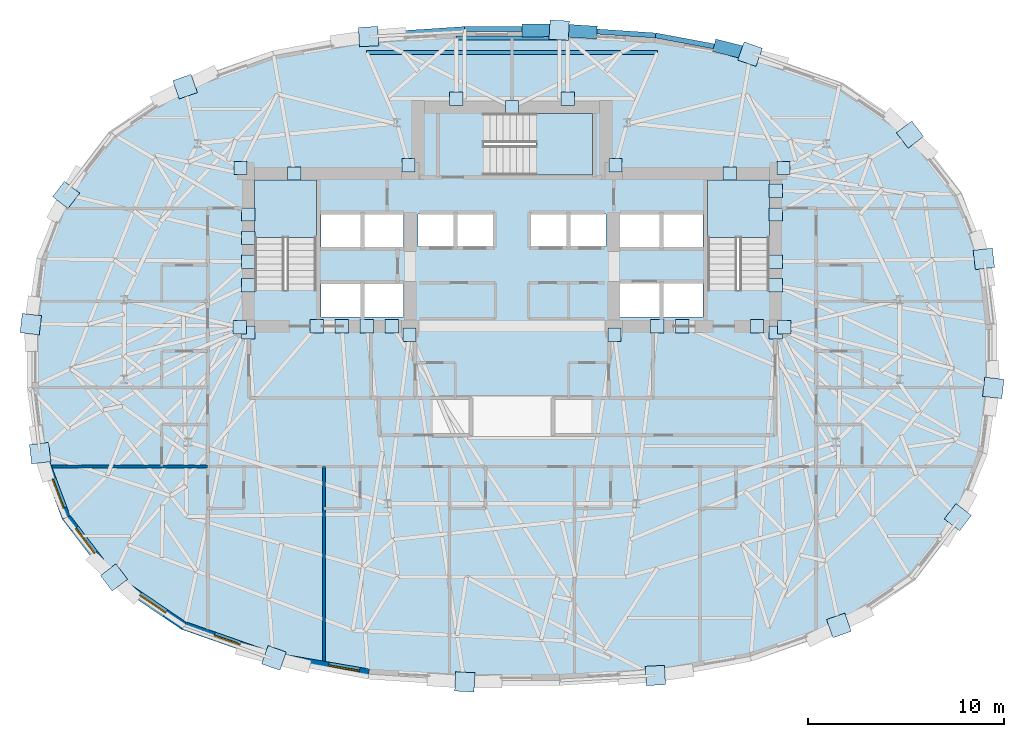
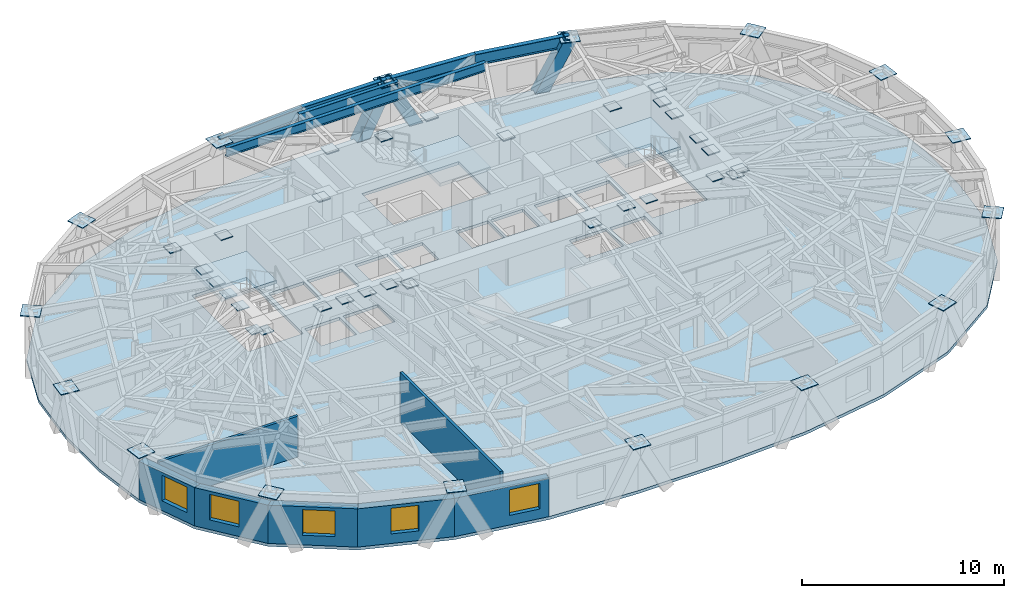
# One storey, part 5 of 15: 46 plates, 7 walls, 6 beams, 5 windows, 4 slabs, 3 members, 5 openings, 3 elements without a shape of their own.
"""IFC4 building model written with IfcOpenShell, lengths in metres."""

from ifc_helpers import new_model, si_unit, direction, frame, frame_2d, origin, origin_2d, place, context, subcontext, project, spatial, polyline, rectangle, hollow_rectangle, i_section, outline, extrude, material, layer, layer_set, material_profile, profile_set, type_object, element, fill, aggregate, save


model = new_model("IFC4")

# Units and contexts
model_context = context("Model", 3, precision=1e-05, world=origin(), true_north=direction((0.0, 1.0)))
body_context = subcontext(model_context, "Body", "Model", "MODEL_VIEW")
ifc_project = project(units=[si_unit("LENGTHUNIT", "METRE"), si_unit("AREAUNIT", "SQUARE_METRE"), si_unit("VOLUMEUNIT", "CUBIC_METRE"), si_unit("PLANEANGLEUNIT", "RADIAN"), si_unit("MASSUNIT", "GRAM", prefix="KILO")], contexts=[model_context])

# Site, building, storey
site_placement = place(None, origin())
site = spatial("IfcSite", under=ifc_project, at=site_placement, CompositionType="ELEMENT")
building_placement = place(site_placement, origin())
building = spatial("IfcBuilding", under=site, at=building_placement, Name="Keldmark Tower", CompositionType="ELEMENT")
storey_placement = place(building_placement, frame((0.0, 0.0, 143.800048828125)))
storey = spatial("IfcBuildingStorey", under=building, at=storey_placement, Name="L38", CompositionType="ELEMENT", Elevation=143.800048828125)

# Members
ifc_material_1 = material(Name="Steel ASTM A572 Grade 50", Category="steel")
ifc_material_profile_1 = material_profile(ifc_material_1, hollow_rectangle(XDim=0.64990234375, YDim=0.64990234375, WallThickness=0.0400390625, at=origin_2d()), Name="BOX650X650X40")
ifc_profile_set_1 = profile_set([ifc_material_profile_1], Name="Steel ASTM A572 Grade 50")
member_type = type_object("IfcMemberType", Name="Diagrid Zone 3 Brace BOX650X650X40", PredefinedType="BRACE", material=ifc_profile_set_1)
member_1_placement = place(storey_placement, frame((10.615478515625, 15.813232421875, -0.260009765625), z_axis=(0.440064957334, -0.109895739619, 0.891215888402), x_axis=(0.242285580262, 0.970204977104, 0.0)))
element("IfcMember", 1, at=member_1_placement, inside=storey, type_object=member_type, Name="L38 Perimeter Diagrid Brace 03B", PredefinedType="BRACE", context=body_context, shape_type="SweptSolid", body=[
    extrude(hollow_rectangle(XDim=0.64990234375, YDim=0.64990234375, WallThickness=0.0400390625, at=origin_2d()), origin(), (0.0, 0.0, 1.0), 3.545654296875),
])
member_2_placement = place(storey_placement, frame((4.05078125, 16.5498046875, -0.260009765625), z_axis=(-0.460434967327, 0.029201324413, 0.887213009099), x_axis=(-0.063294005914, -0.997994924243, 0.0)))
element("IfcMember", 2, at=member_2_placement, inside=storey, type_object=member_type, Name="L38 Perimeter Diagrid Brace 04A", PredefinedType="BRACE", context=body_context, shape_type="SweptSolid", body=[
    extrude(hollow_rectangle(XDim=0.64990234375, YDim=0.64990234375, WallThickness=0.0400390625, at=origin_2d()), origin(), (0.0, 0.0, 1.0), 3.5615234375),
])
member_3_placement = place(storey_placement, frame((0.802734375, 16.635986328125, -0.260009765625), z_axis=(0.456125309598, 0.00433160906, 0.889905016902), x_axis=(-0.009496104822, 0.99995491098, 0.0)))
element("IfcMember", 3, at=member_3_placement, inside=storey, type_object=member_type, Name="L38 Perimeter Diagrid Brace 04B", PredefinedType="BRACE", context=body_context, shape_type="SweptSolid", body=[
    extrude(hollow_rectangle(XDim=0.64990234375, YDim=0.64990234375, WallThickness=0.0400390625, at=origin_2d()), origin(), (0.0, 0.0, 1.0), 3.55078125),
])

# Beams
ifc_material_2 = material(Name="Steel ASTM A992 Grade 50", Category="steel")
ifc_material_profile_2 = material_profile(ifc_material_2, i_section(OverallWidth=0.2099609375, OverallDepth=0.537109375, WebThickness=0.010986328125, FlangeThickness=0.017333984375, at=origin_2d()), Name="W21X68")
ifc_profile_set_2 = profile_set([ifc_material_profile_2], Name="Steel ASTM A992 Grade 50")
beam_type_1 = type_object("IfcBeamType", Name="Radial Tie Girder W21X68", PredefinedType="BEAM", material=ifc_profile_set_2)
beam_1_placement = place(storey_placement, frame((-7.43017578125, 15.515869140625, 2.75146484375), z_axis=(1.0, 0.0, 0.0), x_axis=(0.0, 1.0, 0.0)))
element("IfcBeam", 4, at=beam_1_placement, inside=storey, type_object=beam_type_1, Name="L38 North Outer Header Girder FG-TCN-H1", PredefinedType="BEAM", context=body_context, shape_type="SweptSolid", body=[
    extrude(i_section(OverallWidth=0.2099609375, OverallDepth=0.537109375, WebThickness=0.010986328125, FlangeThickness=0.017333984375, at=origin_2d()), origin(), (0.0, 0.0, 1.0), 14.8603515625),
])
beam_2_placement = place(storey_placement, frame((-2.85009765625, 16.260986328125, 2.75146484375), z_axis=(1.0, 0.0, 0.0), x_axis=(0.0, 1.0, 0.0)))
element("IfcBeam", 5, at=beam_2_placement, inside=storey, type_object=beam_type_1, Name="L38 North Apex Header Girder FG-TCN-H2", PredefinedType="BEAM", context=body_context, shape_type="SweptSolid", body=[
    extrude(i_section(OverallWidth=0.2099609375, OverallDepth=0.537109375, WebThickness=0.010986328125, FlangeThickness=0.017333984375, at=origin_2d()), origin(), (0.0, 0.0, 1.0), 5.7001953125),
])
ifc_material_3 = material(Name="Steel ASTM A992 Grade 50", Category="steel")
ifc_material_profile_3 = material_profile(ifc_material_3, i_section(OverallWidth=0.256103515625, OverallDepth=0.693115234375, WebThickness=0.014404296875, FlangeThickness=0.023681640625, at=origin_2d()), Name="W27X114")
ifc_profile_set_3 = profile_set([ifc_material_profile_3], Name="Steel ASTM A992 Grade 50")
beam_type_2 = type_object("IfcBeamType", Name="Spandrel Ring Beam W27X114", PredefinedType="SPANDREL", material=ifc_profile_set_3)
beam_3_placement = place(storey_placement, frame((12.2041015625, 15.4765625, 2.67333984375), z_axis=(-0.98297578121, 0.183735172338, 0.0), x_axis=(-0.183735172338, -0.98297578121, 0.0)))
element("IfcBeam", 6, at=beam_3_placement, inside=storey, type_object=beam_type_2, Name="L38 Perimeter Spandrel Ring Beam SRB-06", PredefinedType="SPANDREL", context=body_context, shape_type="SweptSolid", body=[
    extrude(i_section(OverallWidth=0.256103515625, OverallDepth=0.693115234375, WebThickness=0.014404296875, FlangeThickness=0.023681640625, at=origin_2d()), origin(), (0.0, 0.0, 1.0), 4.955078125),
])
beam_4_placement = place(storey_placement, frame((7.33349609375, 16.386962890625, 2.67333984375), z_axis=(-0.997822793171, 0.065952054018, 0.0), x_axis=(-0.065952054018, -0.997822793171, 0.0)))
element("IfcBeam", 7, at=beam_4_placement, inside=storey, type_object=beam_type_2, Name="L38 Perimeter Spandrel Ring Beam SRB-07", PredefinedType="SPANDREL", context=body_context, shape_type="SweptSolid", body=[
    extrude(i_section(OverallWidth=0.256103515625, OverallDepth=0.693115234375, WebThickness=0.014404296875, FlangeThickness=0.023681640625, at=origin_2d()), origin(), (0.0, 0.0, 1.0), 4.916015625),
])
beam_5_placement = place(storey_placement, frame((2.42822265625, 16.711181640625, 2.67333984375), z_axis=(-1.0, 0.0, 0.0), x_axis=(0.0, -1.0, 0.0)))
element("IfcBeam", 8, at=beam_5_placement, inside=storey, type_object=beam_type_2, Name="L38 Perimeter Spandrel Ring Beam SRB-08", PredefinedType="SPANDREL", context=body_context, shape_type="SweptSolid", body=[
    extrude(i_section(OverallWidth=0.256103515625, OverallDepth=0.693115234375, WebThickness=0.014404296875, FlangeThickness=0.023681640625, at=origin_2d()), origin(), (0.0, 0.0, 1.0), 4.8564453125),
])
beam_6_placement = place(storey_placement, frame((-2.42822265625, 16.711181640625, 2.67333984375), z_axis=(-0.997822793171, -0.065952054018, 0.0), x_axis=(0.065952054018, -0.997822793171, 0.0)))
element("IfcBeam", 9, at=beam_6_placement, inside=storey, type_object=beam_type_2, Name="L38 Perimeter Spandrel Ring Beam SRB-09", PredefinedType="SPANDREL", context=body_context, shape_type="SweptSolid", body=[
    extrude(i_section(OverallWidth=0.256103515625, OverallDepth=0.693115234375, WebThickness=0.014404296875, FlangeThickness=0.023681640625, at=origin_2d()), origin(), (0.0, 0.0, 1.0), 4.916015625),
])

# Plates
ifc_material_4 = material(Name="Steel ASTM A572 Grade 50", Category="steel")
ifc_layer_1 = layer(ifc_material_4, 0.06005859375)
ifc_layer_set_1 = layer_set([ifc_layer_1], Name="Steel ASTM A572 Grade 50")
plate_type_1 = type_object("IfcPlateType", Name="Belt Truss Kink Node Assembly KN01 60 mm", PredefinedType="USERDEFINED", material=ifc_layer_set_1)
for number, where, z_axis, x_axis, name in (
    (10, (13.91162109375, 1.473388671875, 2.72412109375), (0.0, 0.0, 1.0), (1.0, 0.0, 0.0), "L38 Core Wall Cast-In Embed Plate 1118"),
    (11, (13.878173828125, 9.608154296875, 2.72412109375), (0.0, 0.0, 1.0), (1.0, 0.0, 0.0), "L38 Core Wall Cast-In Embed Plate 1119"),
    (12, (5.28515625, 9.758544921875, 2.72412109375), (0.0, 0.0, 1.0), (1.0, 0.0, 0.0), "L38 Core Wall Cast-In Embed Plate 1120"),
    (13, (-5.28515625, 9.758544921875, 2.72412109375), (0.0, 0.0, 1.0), (1.0, 0.0, 0.0), "L38 Core Wall Cast-In Embed Plate 1121"),
    (14, (-13.878173828125, 9.608154296875, 2.72412109375), (0.0, 0.0, 1.0), (1.0, 0.0, 0.0), "L38 Core Wall Cast-In Embed Plate 1122"),
    (15, (-13.91162109375, 1.473388671875, 2.72412109375), (0.0, 0.0, 1.0), (1.0, 0.0, 0.0), "L38 Core Wall Cast-In Embed Plate 1123"),
    (16, (-5.24072265625, 1.08251953125, 2.72412109375), (0.0, 0.0, 1.0), (1.0, 0.0, 0.0), "L38 Core Wall Cast-In Embed Plate 1124"),
    (17, (5.24072265625, 1.08251953125, 2.72412109375), (0.0, 0.0, 1.0), (1.0, 0.0, 0.0), "L38 Core Wall Cast-In Embed Plate 1125"),
    (18, (-7.425048828125, 1.52490234375, 2.72412109375), (0.0, 0.0, 1.0), (1.0, 0.0, 0.0), "L38 Core Wall Cast-In Embed Plate 1126"),
    (19, (7.425048828125, 1.52490234375, 2.72412109375), (0.0, 0.0, 1.0), (1.0, 0.0, 0.0), "L38 Core Wall Cast-In Embed Plate 1127"),
    (20, (-9.97509765625, 1.52490234375, 2.72412109375), (0.0, 0.0, 1.0), (1.0, 0.0, 0.0), "L38 Core Wall Cast-In Embed Plate 1128"),
    (21, (13.47509765625, 1.199951171875, 2.72412109375), (0.0, 0.0, 1.0), (1.0, 0.0, 0.0), "L38 Core Wall Cast-In Embed Plate 1129"),
    (22, (13.47509765625, 3.6142578125, 2.72412109375), (0.0, 0.0, 1.0), (1.0, 0.0, 0.0), "L38 Core Wall Cast-In Embed Plate 1130"),
    (23, (13.47509765625, 4.8212890625, 2.72412109375), (0.0, 0.0, 1.0), (1.0, 0.0, 0.0), "L38 Core Wall Cast-In Embed Plate 1131"),
    (24, (13.47509765625, 8.44287109375, 2.72412109375), (0.0, 0.0, 1.0), (1.0, 0.0, 0.0), "L38 Core Wall Cast-In Embed Plate 1132"),
    (25, (13.47509765625, 7.235595703125, 2.72412109375), (0.0, 0.0, 1.0), (1.0, 0.0, 0.0), "L38 Core Wall Cast-In Embed Plate 1133"),
    (26, (-13.47509765625, 7.235595703125, 2.72412109375), (0.0, 0.0, 1.0), (1.0, 0.0, 0.0), "L38 Core Wall Cast-In Embed Plate 1134"),
    (27, (-13.47509765625, 6.028564453125, 2.72412109375), (0.0, 0.0, 1.0), (1.0, 0.0, 0.0), "L38 Core Wall Cast-In Embed Plate 1135"),
    (28, (-13.47509765625, 4.8212890625, 2.72412109375), (0.0, 0.0, 1.0), (1.0, 0.0, 0.0), "L38 Core Wall Cast-In Embed Plate 1136"),
    (29, (-13.47509765625, 3.6142578125, 2.72412109375), (0.0, 0.0, 1.0), (1.0, 0.0, 0.0), "L38 Core Wall Cast-In Embed Plate 1137"),
    (30, (-13.47509765625, 1.199951171875, 2.72412109375), (0.0, 0.0, 1.0), (1.0, 0.0, 0.0), "L38 Core Wall Cast-In Embed Plate 1138"),
    (31, (-8.699951171875, 1.52490234375, 2.72412109375), (0.0, 0.0, 1.0), (1.0, 0.0, 0.0), "L38 Core Wall Cast-In Embed Plate 1139"),
    (32, (-6.14990234375, 1.52490234375, 2.72412109375), (0.0, 0.0, 1.0), (1.0, 0.0, 0.0), "L38 Core Wall Cast-In Embed Plate 1140"),
    (33, (12.52490234375, 1.52490234375, 2.72412109375), (0.0, 0.0, 1.0), (1.0, 0.0, 0.0), "L38 Core Wall Cast-In Embed Plate 1141"),
    (34, (8.699951171875, 1.52490234375, 2.72412109375), (0.0, 0.0, 1.0), (1.0, 0.0, 0.0), "L38 Core Wall Cast-In Embed Plate 1142"),
    (35, (-2.85009765625, 13.14990234375, 2.72412109375), (0.0, 0.0, 1.0), (1.0, 0.0, 0.0), "L38 Core Wall Cast-In Embed Plate 1143"),
    (36, (2.85009765625, 13.14990234375, 2.72412109375), (0.0, 0.0, 1.0), (1.0, 0.0, 0.0), "L38 Core Wall Cast-In Embed Plate 1144"),
    (37, (11.1357421875, 9.324951171875, 2.72412109375), (0.0, 0.0, 1.0), (1.0, 0.0, 0.0), "L38 Core Wall Cast-In Embed Plate 1145"),
    (38, (0.0, 12.72509765625, 2.72412109375), (0.0, 0.0, 1.0), (1.0, 0.0, 0.0), "L38 Core Wall Cast-In Embed Plate 1146"),
    (39, (-11.1357421875, 9.324951171875, 2.72412109375), (0.0, 0.0, 1.0), (1.0, 0.0, 0.0), "L38 Core Wall Cast-In Embed Plate 1147"),
):
    element("IfcPlate", number, at=place(storey_placement, frame(where, z_axis=z_axis, x_axis=x_axis)), inside=storey, type_object=plate_type_1, Name=name, ObjectType="CAP PLATE", PredefinedType="USERDEFINED", context=body_context, shape_type="SweptSolid", body=[
        extrude(rectangle(XDim=0.679931640625, YDim=0.679931640625, at=origin_2d()), origin(), (0.0, 0.0, 1.0), 0.054931640625),
    ])
ifc_material_5 = material(Name="Steel ASTM A572 Grade 50", Category="steel")
ifc_layer_2 = layer(ifc_material_5, 0.044921875)
ifc_layer_set_2 = layer_set([ifc_layer_2], Name="Steel ASTM A572 Grade 50")
plate_type_2 = type_object("IfcPlateType", Name="Diagrid Node Assembly DN04 45 mm", PredefinedType="USERDEFINED", material=ifc_layer_set_2)
for number, where, z_axis, x_axis, name in (
    (40, (24.115966796875, 4.965087890625, 2.87744140625), (0.0, 0.0, 1.0), (-0.116670737099, 0.993170649538, 0.0), "L38 Diagrid Node Assembly 01"),
    (41, (20.339111328125, 11.315185546875, 2.87744140625), (0.0, 0.0, 1.0), (-0.607237178966, 0.794520615517, 0.0), "L38 Diagrid Node Assembly 03"),
    (42, (12.166015625, 15.43017578125, 2.87744140625), (0.0, 0.0, 1.0), (-0.943512164028, 0.331337888463, 0.0), "L38 Diagrid Node Assembly 05"),
    (43, (2.410888671875, 16.65380859375, 2.87744140625), (0.0, 0.0, 1.0), (-0.998546093651, 0.053904534636, 0.0), "L38 Diagrid Node Assembly 07"),
    (44, (-7.32763671875, 16.327392578125, 2.87744140625), (0.0, 0.0, 1.0), (-0.998546093651, -0.053904534636, 0.0), "L38 Diagrid Node Assembly 09"),
    (45, (-16.706787109375, 13.769287109375, 2.87744140625), (0.0, 0.0, 1.0), (-0.943512164028, -0.331337888463, 0.0), "L38 Diagrid Node Assembly 11"),
    (46, (-22.7861328125, 8.234375, 2.87744140625), (0.0, 0.0, 1.0), (-0.607237178966, -0.794520615517, 0.0), "L38 Diagrid Node Assembly 13"),
    (47, (-24.596435546875, 1.62841796875, 2.87744140625), (0.0, 0.0, 1.0), (-0.116670737099, -0.993170649538, 0.0), "L38 Diagrid Node Assembly 15"),
    (48, (-24.115966796875, -4.965087890625, 2.87744140625), (0.0, 0.0, 1.0), (0.116670737099, -0.993170649538, 0.0), "L38 Diagrid Node Assembly 17"),
    (49, (-20.339111328125, -11.315185546875, 2.87744140625), (0.0, 0.0, 1.0), (0.607237178966, -0.794520615517, 0.0), "L38 Diagrid Node Assembly 19"),
    (50, (-12.166015625, -15.43017578125, 2.87744140625), (0.0, 0.0, 1.0), (0.943512164028, -0.331337888463, 0.0), "L38 Diagrid Node Assembly 21"),
    (51, (-2.410888671875, -16.65380859375, 2.87744140625), (0.0, 0.0, 1.0), (0.998546093651, -0.053904534636, 0.0), "L38 Diagrid Node Assembly 23"),
    (52, (7.32763671875, -16.327392578125, 2.87744140625), (0.0, 0.0, 1.0), (0.998546093651, 0.053904534636, 0.0), "L38 Diagrid Node Assembly 25"),
    (53, (16.706787109375, -13.769287109375, 2.87744140625), (0.0, 0.0, 1.0), (0.943512164028, 0.331337888463, 0.0), "L38 Diagrid Node Assembly 27"),
    (54, (22.7861328125, -8.234375, 2.87744140625), (0.0, 0.0, 1.0), (0.607237178966, 0.794520615517, 0.0), "L38 Diagrid Node Assembly 29"),
    (55, (24.596435546875, -1.62841796875, 2.87744140625), (0.0, 0.0, 1.0), (0.116670737099, 0.993170649538, 0.0), "L38 Diagrid Node Assembly 31"),
):
    element("IfcPlate", number, at=place(storey_placement, frame(where, z_axis=z_axis, x_axis=x_axis)), inside=storey, type_object=plate_type_2, Name=name, ObjectType="GUSSET", PredefinedType="USERDEFINED", context=body_context, shape_type="SweptSolid", body=[
        extrude(rectangle(XDim=0.989990234375, YDim=0.989990234375, at=origin_2d()), origin(), (0.0, 0.0, 1.0), 0.044921875),
    ])

# Slab
ifc_material_6 = material(Name="Concrete C35/45", Category="concrete")
ifc_layer_3 = layer(ifc_material_6, 0.179931640625)
ifc_layer_set_3 = layer_set([ifc_layer_3], Name="Concrete C35/45")
slab_type_1 = type_object("IfcSlabType", Name="Hotel and Residential Slab 180 mm", PredefinedType="FLOOR", material=ifc_layer_set_3)
slab_1_placement = place(storey_placement, frame((0.0, 0.0, -0.179931640625)))
element("IfcSlab", 56, at=slab_1_placement, inside=storey, type_object=slab_type_1, Name="L38 Composite Structural Floor Slab", PredefinedType="FLOOR", context=body_context, shape_type="SweptSolid", body=[
    extrude(outline(polyline([(24.631591796875, 1.644287109375), (24.239501953125, 4.98388671875), (22.99169921875, 8.329833984375), (20.60009765625, 11.459228515625), (16.90625, 13.96337890625), (12.289306640625, 15.584228515625), (7.352783203125, 16.429931640625), (2.426025390625, 16.69580078125), (-2.426025390625, 16.69580078125), (-7.352783203125, 16.429931640625), (-12.289306640625, 15.584228515625), (-16.90625, 13.96337890625), (-20.60009765625, 11.459228515625), (-22.99169921875, 8.329833984375), (-24.239501953125, 4.98388671875), (-24.631591796875, 1.644287109375), (-24.631591796875, -1.644287109375), (-24.239501953125, -4.98388671875), (-22.99169921875, -8.329833984375), (-20.60009765625, -11.459228515625), (-16.90625, -13.96337890625), (-12.289306640625, -15.584228515625), (-7.352783203125, -16.429931640625), (-2.426025390625, -16.69580078125), (2.426025390625, -16.69580078125), (7.352783203125, -16.429931640625), (12.289306640625, -15.584228515625), (16.90625, -13.96337890625), (20.60009765625, -11.459228515625), (22.99169921875, -8.329833984375), (24.239501953125, -4.98388671875), (24.631591796875, -1.644287109375), (24.631591796875, 1.644287109375)]), holes=[polyline([(-10.0, 3.385009765625), (-10.0, 9.0), (-13.14990234375, 9.0), (-13.14990234375, 3.385009765625), (-10.0, 3.385009765625)]), polyline([(13.14990234375, 3.385009765625), (13.14990234375, 9.0), (10.0, 9.0), (10.0, 3.385009765625), (13.14990234375, 3.385009765625)]), polyline([(-1.43994140625, 9.25), (4.10498046875, 9.25), (4.10498046875, 12.39990234375), (-1.43994140625, 12.39990234375), (-1.43994140625, 9.25)]), polyline([(-9.75, 2.0), (-7.75, 2.0), (-7.75, 3.699951171875), (-9.75, 3.699951171875), (-9.75, 2.0)]), polyline([(7.75, 2.0), (9.75, 2.0), (9.75, 3.699951171875), (7.75, 3.699951171875), (7.75, 2.0)]), polyline([(5.449951171875, 2.0), (7.550048828125, 2.0), (7.550048828125, 3.75), (5.449951171875, 3.75), (5.449951171875, 2.0)]), polyline([(-4.800048828125, 5.60009765625), (-2.949951171875, 5.60009765625), (-2.949951171875, 7.25), (-4.800048828125, 7.25), (-4.800048828125, 5.60009765625)]), polyline([(-2.800048828125, 5.60009765625), (-0.949951171875, 5.60009765625), (-0.949951171875, 7.25), (-2.800048828125, 7.25), (-2.800048828125, 5.60009765625)]), polyline([(0.949951171875, 5.60009765625), (2.800048828125, 5.60009765625), (2.800048828125, 7.25), (0.949951171875, 7.25), (0.949951171875, 5.60009765625)]), polyline([(2.949951171875, 5.60009765625), (4.800048828125, 5.60009765625), (4.800048828125, 7.25), (2.949951171875, 7.25), (2.949951171875, 5.60009765625)]), polyline([(-9.75, 5.550048828125), (-7.75, 5.550048828125), (-7.75, 7.25), (-9.75, 7.25), (-9.75, 5.550048828125)]), polyline([(-7.550048828125, 5.550048828125), (-5.550048828125, 5.550048828125), (-5.550048828125, 7.25), (-7.550048828125, 7.25), (-7.550048828125, 5.550048828125)]), polyline([(-7.550048828125, 2.0), (-5.550048828125, 2.0), (-5.550048828125, 3.699951171875), (-7.550048828125, 3.699951171875), (-7.550048828125, 2.0)]), polyline([(5.449951171875, 5.550048828125), (7.550048828125, 5.550048828125), (7.550048828125, 7.25), (5.449951171875, 7.25), (5.449951171875, 5.550048828125)]), polyline([(7.75, 5.550048828125), (9.75, 5.550048828125), (9.75, 7.25), (7.75, 7.25), (7.75, 5.550048828125)])]), origin(), (0.0, 0.0, 1.0), 0.179931640625),
])

# Stair, slab
ifc_material_7 = material(Name="Concrete C40/50", Category="concrete")
stair_type = type_object("IfcStairType", Name="Precast Concrete Core Exit Stair", PredefinedType="HALF_TURN_STAIR", material=ifc_material_7)
stair_1_placement = place(storey_placement, origin())
stair_1 = element("IfcStair", 57, at=stair_1_placement, inside=storey, type_object=stair_type, Name="L38 Exit Stair ST1", PredefinedType="HALF_TURN_STAIR")
ifc_material_8 = material(Name="Concrete C40/50", Category="concrete")
ifc_layer_4 = layer(ifc_material_8, 0.199951171875)
ifc_layer_set_4 = layer_set([ifc_layer_4], Name="Concrete C40/50")
slab_type_2 = type_object("IfcSlabType", Name="Reinforced Concrete Stair Landing 200 mm", PredefinedType="LANDING", material=ifc_layer_set_4)
slab_2_placement = place(storey_placement, frame((0.0, 0.0, 1.39990234375)))
slab_2 = element("IfcSlab", 58, at=slab_2_placement, type_object=slab_type_2, Name="ST1 landing 1", PredefinedType="LANDING", context=body_context, shape_type="SweptSolid", body=[
    extrude(outline(polyline([(-10.0, 6.050048828125), (-10.0, 9.0), (-13.14990234375, 9.0), (-13.14990234375, 6.050048828125), (-10.0, 6.050048828125)])), origin(), (0.0, 0.0, 1.0), 0.199951171875),
])
aggregate(stair_1, [slab_2])

stair_2_placement = place(storey_placement, origin())
stair_2 = element("IfcStair", 59, at=stair_2_placement, inside=storey, type_object=stair_type, Name="L38 Exit Stair ST2", PredefinedType="HALF_TURN_STAIR")
slab_3_placement = place(storey_placement, frame((0.0, 0.0, 1.39990234375)))
slab_3 = element("IfcSlab", 60, at=slab_3_placement, type_object=slab_type_2, Name="ST2 landing 1", PredefinedType="LANDING", context=body_context, shape_type="SweptSolid", body=[
    extrude(outline(polyline([(13.14990234375, 6.050048828125), (13.14990234375, 9.0), (10.0, 9.0), (10.0, 6.050048828125), (13.14990234375, 6.050048828125)])), origin(), (0.0, 0.0, 1.0), 0.199951171875),
])
aggregate(stair_2, [slab_3])

stair_3_placement = place(storey_placement, origin())
stair_3 = element("IfcStair", 61, at=stair_3_placement, inside=storey, type_object=stair_type, Name="L38 Exit Stair ST3", PredefinedType="HALF_TURN_STAIR")
slab_4_placement = place(storey_placement, frame((0.0, 0.0, 1.39990234375)))
slab_4 = element("IfcSlab", 62, at=slab_4_placement, type_object=slab_type_2, Name="ST3 landing 1", PredefinedType="LANDING", context=body_context, shape_type="SweptSolid", body=[
    extrude(outline(polyline([(1.22509765625, 9.25), (4.10498046875, 9.25), (4.10498046875, 12.39990234375), (1.22509765625, 12.39990234375), (1.22509765625, 9.25)])), origin(), (0.0, 0.0, 1.0), 0.199951171875),
])
aggregate(stair_3, [slab_4])

# Wall, opening, window
ifc_material_9 = material(Name="Ironspot Manganese Brick and Kasota Buff Limestone Spandrel Assembly", Category="masonry")
ifc_layer_5 = layer(ifc_material_9, 0.43994140625)
ifc_layer_set_5 = layer_set([ifc_layer_5], Name="Ironspot Manganese Brick and Kasota Buff Limestone Spandrel Assembly")
wall_type_1 = type_object("IfcWallType", Name="Tower Brick Pier and Spandrel Wall 440 mm", PredefinedType="STANDARD", material=ifc_layer_set_5)
wall_1_placement = place(storey_placement, frame((-22.785400390625, -8.2529296875, 0.0), z_axis=(0.0, 0.0, 1.0), x_axis=(-0.349422124021, 0.936965409844, 0.0)))
wall_1 = element("IfcWall", 63, at=wall_1_placement, inside=storey, type_object=wall_type_1, Name="L38 Exterior Brick and Spandrel Wall 18", PredefinedType="STANDARD", context=body_context, shape_type="SweptSolid", body=[
    extrude(rectangle(XDim=3.571044921875, YDim=0.43994140625, at=frame_2d((1.78564453125, 0.0))), origin(), (0.0, 0.0, 1.0), 2.31494140625),
])
opening_1_placement = place(wall_1_placement, frame((0.49462890625, 0.0, 0.580078125)))
opening_1 = element("IfcOpeningElement", 64, at=opening_1_placement, cuts=wall_1, Name="Opening W-04", PredefinedType="OPENING", context=body_context, shape_type="SweptSolid", body=[
    extrude(rectangle(XDim=1.60009765625, YDim=1.550048828125, at=frame_2d((0.800048828125, 0.77490234375))), frame((0.0, 0.22998046875, 0.0), z_axis=(0.0, -1.0, 0.0), x_axis=(1.0, 0.0, 0.0)), (0.0, 0.0, 1.0), 0.4599609375),
])
ifc_material_10 = material(Name="Thermally Broken Anodized Aluminum and Triple Low-E Argon Glazing", Category="aluminium")
window_type_1 = type_object("IfcWindowType", Name="Hotel Deep-Set Operable Window 1600x1550", PartitioningType="DOUBLE_PANEL_HORIZONTAL", PredefinedType="WINDOW", material=ifc_material_10)
window_1_placement = place(opening_1_placement, origin())
window_1 = element("IfcWindow", 65, at=window_1_placement, inside=storey, type_object=window_type_1, Name="L38 Deep-Set Window 18", OverallHeight=1.550048828125, OverallWidth=1.60009765625, PartitioningType="SINGLE_PANEL", PredefinedType="WINDOW", context=body_context, shape_type="SweptSolid", body=[
    extrude(rectangle(XDim=1.60009765625, YDim=1.550048828125, at=frame_2d((0.800048828125, 0.77490234375))), frame((0.0, -0.010009765625, 0.0), z_axis=(0.0, -1.0, 0.0), x_axis=(1.0, 0.0, 0.0)), (0.0, 0.0, 1.0), 0.06005859375),
])
fill(opening_1, window_1)

wall_2_placement = place(storey_placement, frame((-20.42529296875, -11.32568359375, 0.0), z_axis=(0.0, 0.0, 1.0), x_axis=(-0.607215400231, 0.794537260122, 0.0)))
wall_2 = element("IfcWall", 66, at=wall_2_placement, inside=storey, type_object=wall_type_1, Name="L38 Exterior Brick and Spandrel Wall 19", PredefinedType="STANDARD", context=body_context, shape_type="SweptSolid", body=[
    extrude(rectangle(XDim=3.938720703125, YDim=0.43994140625, at=frame_2d((1.96923828125, 0.0))), origin(), (0.0, 0.0, 1.0), 2.31494140625),
])
opening_2_placement = place(wall_2_placement, frame((1.5419921875, 0.0, 0.580078125)))
opening_2 = element("IfcOpeningElement", 67, at=opening_2_placement, cuts=wall_2, Name="Opening W-04", PredefinedType="OPENING", context=body_context, shape_type="SweptSolid", body=[
    extrude(rectangle(XDim=1.60009765625, YDim=1.550048828125, at=frame_2d((0.800048828125, 0.77490234375))), frame((0.0, 0.22998046875, 0.0), z_axis=(0.0, -1.0, 0.0), x_axis=(1.0, 0.0, 0.0)), (0.0, 0.0, 1.0), 0.4599609375),
])
window_2_placement = place(opening_2_placement, origin())
window_2 = element("IfcWindow", 68, at=window_2_placement, inside=storey, type_object=window_type_1, Name="L38 Deep-Set Window 19", OverallHeight=1.550048828125, OverallWidth=1.60009765625, PartitioningType="SINGLE_PANEL", PredefinedType="WINDOW", context=body_context, shape_type="SweptSolid", body=[
    extrude(rectangle(XDim=1.60009765625, YDim=1.550048828125, at=frame_2d((0.800048828125, 0.77490234375))), frame((0.0, -0.010009765625, 0.0), z_axis=(0.0, -1.0, 0.0), x_axis=(1.0, 0.0, 0.0)), (0.0, 0.0, 1.0), 0.06005859375),
])
fill(opening_2, window_2)

wall_3_placement = place(storey_placement, frame((-16.78271484375, -13.78125, 0.0), z_axis=(0.0, 0.0, 1.0), x_axis=(-0.827741657842, 0.561109390291, 0.0)))
wall_3 = element("IfcWall", 69, at=wall_3_placement, inside=storey, type_object=wall_type_1, Name="L38 Exterior Brick and Spandrel Wall 20", PredefinedType="STANDARD", context=body_context, shape_type="SweptSolid", body=[
    extrude(rectangle(XDim=4.462890625, YDim=0.43994140625, at=frame_2d((2.2314453125, 0.0))), origin(), (0.0, 0.0, 1.0), 2.31494140625),
])
opening_3_placement = place(wall_3_placement, frame((1.1357421875, 0.0, 0.580078125)))
opening_3 = element("IfcOpeningElement", 70, at=opening_3_placement, cuts=wall_3, Name="Opening W-04", PredefinedType="OPENING", context=body_context, shape_type="SweptSolid", body=[
    extrude(rectangle(XDim=1.60009765625, YDim=1.550048828125, at=frame_2d((0.800048828125, 0.77490234375))), frame((0.0, 0.22998046875, 0.0), z_axis=(0.0, -1.0, 0.0), x_axis=(1.0, 0.0, 0.0)), (0.0, 0.0, 1.0), 0.4599609375),
])
window_3_placement = place(opening_3_placement, origin())
window_3 = element("IfcWindow", 71, at=window_3_placement, inside=storey, type_object=window_type_1, Name="L38 Deep-Set Window 20", OverallHeight=1.550048828125, OverallWidth=1.60009765625, PartitioningType="SINGLE_PANEL", PredefinedType="WINDOW", context=body_context, shape_type="SweptSolid", body=[
    extrude(rectangle(XDim=1.60009765625, YDim=1.550048828125, at=frame_2d((0.800048828125, 0.77490234375))), frame((0.0, -0.010009765625, 0.0), z_axis=(0.0, -1.0, 0.0), x_axis=(1.0, 0.0, 0.0)), (0.0, 0.0, 1.0), 0.06005859375),
])
fill(opening_3, window_3)

wall_4_placement = place(storey_placement, frame((-12.21630859375, -15.376708984375, 0.0), z_axis=(0.0, 0.0, 1.0), x_axis=(-0.943528860281, 0.331290340662, 0.0)))
wall_4 = element("IfcWall", 72, at=wall_4_placement, inside=storey, type_object=wall_type_1, Name="L38 Exterior Brick and Spandrel Wall 21", PredefinedType="STANDARD", context=body_context, shape_type="SweptSolid", body=[
    extrude(rectangle(XDim=4.893310546875, YDim=0.43994140625, at=frame_2d((2.44677734375, 0.0))), origin(), (0.0, 0.0, 1.0), 2.31494140625),
])
opening_4_placement = place(wall_4_placement, frame((1.79638671875, 0.0, 0.580078125)))
opening_4 = element("IfcOpeningElement", 73, at=opening_4_placement, cuts=wall_4, Name="Opening W-08", PredefinedType="OPENING", context=body_context, shape_type="SweptSolid", body=[
    extrude(rectangle(XDim=1.39990234375, YDim=1.550048828125, at=frame_2d((0.699951171875, 0.77490234375))), frame((0.0, 0.22998046875, 0.0), z_axis=(0.0, -1.0, 0.0), x_axis=(1.0, 0.0, 0.0)), (0.0, 0.0, 1.0), 0.4599609375),
])
ifc_material_11 = material(Name="Thermally Broken Anodized Aluminum and Triple Low-E Argon Glazing", Category="aluminium")
window_type_2 = type_object("IfcWindowType", Name="Residential Corner Punched Window 1400x1550", PartitioningType="SINGLE_PANEL", PredefinedType="WINDOW", material=ifc_material_11)
window_4_placement = place(opening_4_placement, origin())
window_4 = element("IfcWindow", 74, at=window_4_placement, inside=storey, type_object=window_type_2, Name="L38 Deep-Set Window 21", OverallHeight=1.550048828125, OverallWidth=1.39990234375, PartitioningType="SINGLE_PANEL", PredefinedType="WINDOW", context=body_context, shape_type="SweptSolid", body=[
    extrude(rectangle(XDim=1.39990234375, YDim=1.550048828125, at=frame_2d((0.699951171875, 0.77490234375))), frame((0.0, -0.010009765625, 0.0), z_axis=(0.0, -1.0, 0.0), x_axis=(1.0, 0.0, 0.0)), (0.0, 0.0, 1.0), 0.06005859375),
])
fill(opening_4, window_4)

wall_5_placement = place(storey_placement, frame((-7.315673828125, -16.213134765625, 0.0), z_axis=(0.0, 0.0, 1.0), x_axis=(-0.985640803986, 0.168855575915, 0.0)))
wall_5 = element("IfcWall", 75, at=wall_5_placement, inside=storey, type_object=wall_type_1, Name="L38 Exterior Brick and Spandrel Wall 22", PredefinedType="STANDARD", context=body_context, shape_type="SweptSolid", body=[
    extrude(rectangle(XDim=5.008544921875, YDim=0.43994140625, at=frame_2d((2.50439453125, 0.0))), origin(), (0.0, 0.0, 1.0), 2.31494140625),
])
opening_5_placement = place(wall_5_placement, frame((0.495849609375, 0.0, 0.580078125)))
opening_5 = element("IfcOpeningElement", 76, at=opening_5_placement, cuts=wall_5, Name="Opening W-04", PredefinedType="OPENING", context=body_context, shape_type="SweptSolid", body=[
    extrude(rectangle(XDim=1.60009765625, YDim=1.550048828125, at=frame_2d((0.800048828125, 0.77490234375))), frame((0.0, 0.22998046875, 0.0), z_axis=(0.0, -1.0, 0.0), x_axis=(1.0, 0.0, 0.0)), (0.0, 0.0, 1.0), 0.4599609375),
])
window_5_placement = place(opening_5_placement, origin())
window_5 = element("IfcWindow", 77, at=window_5_placement, inside=storey, type_object=window_type_1, Name="L38 Deep-Set Window 22", OverallHeight=1.550048828125, OverallWidth=1.60009765625, PartitioningType="SINGLE_PANEL", PredefinedType="WINDOW", context=body_context, shape_type="SweptSolid", body=[
    extrude(rectangle(XDim=1.60009765625, YDim=1.550048828125, at=frame_2d((0.800048828125, 0.77490234375))), frame((0.0, -0.010009765625, 0.0), z_axis=(0.0, -1.0, 0.0), x_axis=(1.0, 0.0, 0.0)), (0.0, 0.0, 1.0), 0.06005859375),
])
fill(opening_5, window_5)

# Walls
ifc_material_12 = material(Name="Moisture-Resistant Gypsum Plumbing Partition", Category="gypsum")
ifc_layer_6 = layer(ifc_material_12, 0.14990234375)
ifc_layer_set_6 = layer_set([ifc_layer_6], Name="Moisture-Resistant Gypsum Plumbing Partition")
wall_type_2 = type_object("IfcWallType", Name="Wet Wall 150 mm", PredefinedType="PLUMBINGWALL", material=ifc_layer_set_6)
wall_6_placement = place(storey_placement, frame((-23.512939453125, -5.64990234375, 0.0), z_axis=(0.0, 0.0, 1.0), x_axis=(1.0, 0.0, 0.0)))
element("IfcWall", 78, at=wall_6_placement, inside=storey, type_object=wall_type_2, Name="L38 Wet Wall 150 mm HW-CAP-S", PredefinedType="PLUMBINGWALL", context=body_context, shape_type="SweptSolid", body=[
    extrude(rectangle(XDim=7.962890625, YDim=0.14990234375, at=frame_2d((3.9814453125, 0.0))), origin(), (0.0, 0.0, 1.0), 2.472900390625),
])
wall_7_placement = place(storey_placement, frame((-9.60009765625, -15.590576171875, 0.0), z_axis=(0.0, 0.0, 1.0), x_axis=(0.0, 1.0, 0.0)))
element("IfcWall", 79, at=wall_7_placement, inside=storey, type_object=wall_type_2, Name="L38 Wet Wall 150 mm HS-DIV-1", PredefinedType="PLUMBINGWALL", context=body_context, shape_type="SweptSolid", body=[
    extrude(rectangle(XDim=9.940673828125, YDim=0.14990234375, at=frame_2d((4.97021484375, 0.0))), origin(), (0.0, 0.0, 1.0), 3.02001953125),
])

save(model, "model.ifc")
